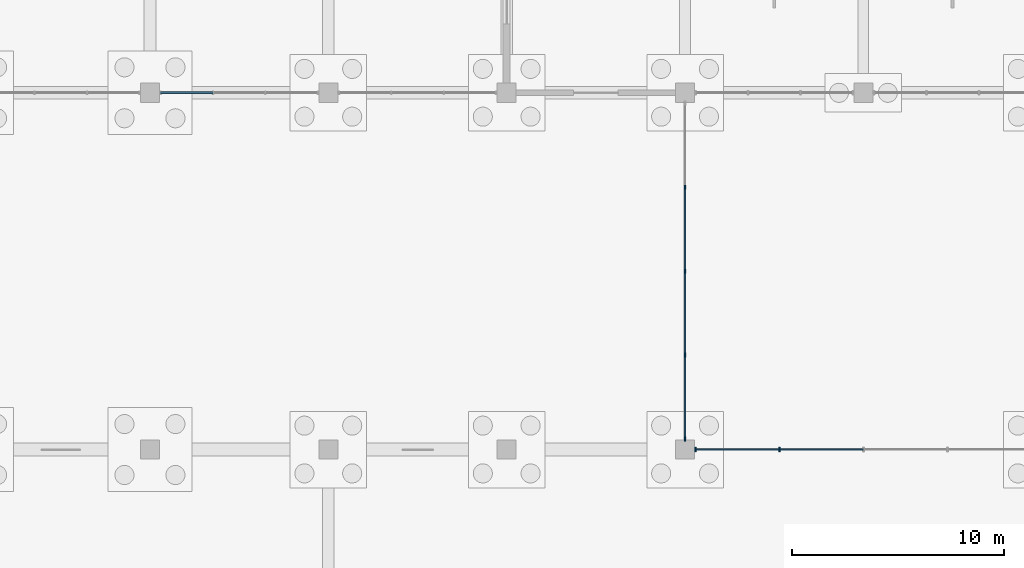
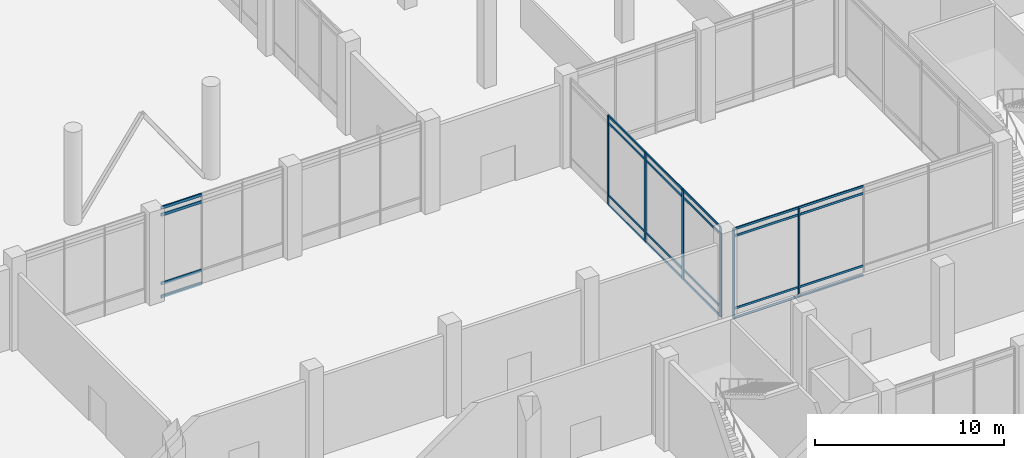
# One storey, part 30 of 72: 30 members, 3 elements without a shape of their own.
"""IFC4 building model written with IfcOpenShell, lengths in metres."""

import ifcopenshell
import ifcopenshell.guid

model = None  # the IFC model being written
_history = None  # IfcOwnerHistory: only IFC2X3 demands one
_inside = {}  # id of a spatial element -> (the spatial element, [elements in it])
_under = {}  # id of a project, library or spatial element -> (it, [spatial elements below it])
_declared = {}  # id of a project -> (the project, [libraries it declares])
_typed = {}  # id of a type object -> (the type object, [elements of that type])
_made_of = {}  # id of a material, layer set ... -> (it, [elements and type objects made of it])


def new_model(schema):
    """Start an empty IFC model of exactly this schema.

    Asked for "IFC4X3", IfcOpenShell would pick the latest addendum, in which some entities
    have other attributes; the version numbers below select the first issue.
    IFC2X3 requires an IfcOwnerHistory on every rooted entity: one is made here for all.
    """
    global model, _history
    if schema == "IFC4X3":
        model = ifcopenshell.file(schema_version=(4, 3, 0, 0))
    else:
        model = ifcopenshell.file(schema=schema)
    _inside.clear()
    _under.clear()
    _declared.clear()
    _typed.clear()
    _made_of.clear()
    _history = None
    if model.schema == "IFC2X3":
        org = make("IfcOrganization", Name="unknown")
        user = make(
            "IfcPersonAndOrganization",
            ThePerson=make("IfcPerson", FamilyName="unknown"),
            TheOrganization=org,
        )
        app = make(
            "IfcApplication",
            ApplicationDeveloper=org,
            Version="unknown",
            ApplicationFullName="unknown",
            ApplicationIdentifier="unknown",
        )
        _history = make(
            "IfcOwnerHistory",
            OwningUser=user,
            OwningApplication=app,
            ChangeAction="ADDED",
            CreationDate=0,
        )
    return model


def make(cls, **values):
    """One entity of the class cls with the attributes given. An attribute that is None is left unset."""
    return model.create_entity(
        cls, **{name: value for name, value in values.items() if value is not None}
    )


def rooted(cls, **values):
    """An entity with a GlobalId (a new one), such as an element, a storey or a relation."""
    return make(cls, GlobalId=ifcopenshell.guid.new(), OwnerHistory=_history, **values)


def si_unit(unit_type, name, prefix=None):
    """IfcSIUnit, for example si_unit("LENGTHUNIT", "METRE", prefix="MILLI")."""
    return make("IfcSIUnit", UnitType=unit_type, Prefix=prefix, Name=name)


def assignment(units):
    """IfcUnitAssignment: the units of a project."""
    return None if units is None else make("IfcUnitAssignment", Units=units)


def point(xyz):
    """IfcCartesianPoint."""
    return None if xyz is None else make("IfcCartesianPoint", Coordinates=xyz)


def direction(xyz):
    """IfcDirection."""
    return None if xyz is None else make("IfcDirection", DirectionRatios=xyz)


def frame(location, z_axis=None, x_axis=None):
    """IfcAxis2Placement3D, a coordinate frame: its origin and axes. An axis left out is left unset."""
    return make(
        "IfcAxis2Placement3D",
        Location=point(location),
        Axis=direction(z_axis),
        RefDirection=direction(x_axis),
    )


def frame_2d(location, x_axis=None):
    """IfcAxis2Placement2D, a coordinate frame in the plane: its origin and x axis."""
    return make(
        "IfcAxis2Placement2D", Location=point(location), RefDirection=direction(x_axis)
    )


def origin():
    """The frame at (0, 0, 0) with its axes left unset."""
    return frame((0.0, 0.0, 0.0))


def origin_2d():
    """The frame at (0, 0) in the plane with its x axis left unset."""
    return frame_2d((0.0, 0.0))


def place(relative_to, where):
    """IfcLocalPlacement: puts the frame where relative to a parent placement (None: the world)."""
    return make(
        "IfcLocalPlacement", PlacementRelTo=relative_to, RelativePlacement=where
    )


def context(
    kind, dimensions, precision=None, world=None, true_north=None, identifier=None
):
    """IfcGeometricRepresentationContext, for example the 3D "Model" context."""
    return make(
        "IfcGeometricRepresentationContext",
        ContextIdentifier=identifier,
        ContextType=kind,
        CoordinateSpaceDimension=dimensions,
        Precision=precision,
        WorldCoordinateSystem=world,
        TrueNorth=true_north,
    )


def subcontext(parent, identifier, kind, view, scale=None):
    """IfcGeometricRepresentationSubContext, for example "Body" below "Model"."""
    return make(
        "IfcGeometricRepresentationSubContext",
        ContextIdentifier=identifier,
        ContextType=kind,
        ParentContext=parent,
        TargetScale=scale,
        TargetView=view,
    )


def project(units=None, contexts=None):
    """IfcProject with its units and contexts."""
    return rooted(
        "IfcProject",
        Name="project",
        RepresentationContexts=contexts,
        UnitsInContext=assignment(units),
    )


def spatial(cls, under=None, at=None, **own):
    """A site, building, storey or space (cls), placed at a placement, below another one or the project."""
    s = rooted(cls, ObjectPlacement=at, **own)
    if under is not None:
        _under.setdefault(under.id(), (under, []))[1].append(s)
    return s


def profile(cls, at=None, kind="AREA", **sizes):
    """A parametric profile (cls). Its sizes go by their IFC names, for example OverallWidth=200.0."""
    return make(cls, ProfileType=kind, Position=at, **sizes)


def rectangle(**sizes):
    """IfcRectangleProfileDef."""
    return profile("IfcRectangleProfileDef", **sizes)


def extrude(swept, where, along, depth):
    """IfcExtrudedAreaSolid: the profile swept, set in the frame where, extruded along a direction by depth."""
    return make(
        "IfcExtrudedAreaSolid",
        SweptArea=swept,
        Position=where,
        ExtrudedDirection=direction(along),
        Depth=depth,
    )


def shape(context_of_items, identifier, shape_type, items):
    """IfcShapeRepresentation: the items that make up one representation, for example the "Body"."""
    return make(
        "IfcShapeRepresentation",
        ContextOfItems=context_of_items,
        RepresentationIdentifier=identifier,
        RepresentationType=shape_type,
        Items=items,
    )


def material(Name=None, Category=None):
    """IfcMaterial."""
    return make("IfcMaterial", Name=Name, Category=Category)


def layer(
    of_material, thickness, ventilated=None, Name=None, Category=None, Priority=None
):
    """IfcMaterialLayer: one layer of a wall or slab, of a material (None: an air gap)."""
    return make(
        "IfcMaterialLayer",
        Material=of_material,
        LayerThickness=thickness,
        IsVentilated=ventilated,
        Name=Name,
        Category=Category,
        Priority=Priority,
    )


def layer_set(layers, Name=None):
    """IfcMaterialLayerSet."""
    return make("IfcMaterialLayerSet", MaterialLayers=layers, LayerSetName=Name)


def material_profile(
    of_material, cross_section, Name=None, Category=None, Priority=None
):
    """IfcMaterialProfile: a cross section and its material."""
    return make(
        "IfcMaterialProfile",
        Name=Name,
        Material=of_material,
        Profile=cross_section,
        Priority=Priority,
        Category=Category,
    )


def profile_set(profiles, Name=None, composite=None):
    """IfcMaterialProfileSet."""
    return make(
        "IfcMaterialProfileSet",
        Name=Name,
        MaterialProfiles=profiles,
        CompositeProfile=composite,
    )


def made_of(thing, what):
    """Note that an element or type object is made of a material, layer set ...; save() writes the relation."""
    if what is not None:
        _made_of.setdefault(what.id(), (what, []))[1].append(thing)
    return thing


def type_object(cls, material=None, **own):
    """A type object (cls), such as IfcWallType, which elements share."""
    return made_of(rooted(cls, **own), material)


def element(
    cls,
    number,
    at=None,
    inside=None,
    cuts=None,
    type_object=None,
    material=None,
    context=None,
    identifier="Body",
    shape_type=None,
    held_by="IfcProductDefinitionShape",
    body=None,
    shapes=None,
    **own,
):
    """One element of the class cls, such as IfcWall. Its Tag is "e" and its number.

    at: its placement. inside: the storey or other place that contains it. cuts: it is an
    opening in that element (IfcRelVoidsElement). A single representation is given by context,
    identifier, shape_type and body (its items); several are given by shapes. held_by: the class
    of the entity that holds the representations. save() writes the other relations.
    """
    e = rooted(cls, Tag="e%d" % number, ObjectPlacement=at, **own)
    if body is not None:
        shapes = [shape(context, identifier, shape_type, body)]
    if shapes is not None:
        e.Representation = make(held_by, Representations=shapes)
    if inside is not None:
        _inside.setdefault(inside.id(), (inside, []))[1].append(e)
    if cuts is not None:
        rooted(
            "IfcRelVoidsElement", RelatingBuildingElement=cuts, RelatedOpeningElement=e
        )
    if type_object is not None:
        _typed.setdefault(type_object.id(), (type_object, []))[1].append(e)
    return made_of(e, material)


def aggregate(whole, parts):
    """IfcRelAggregates: a whole, such as a stair, and the parts it consists of."""
    return rooted("IfcRelAggregates", RelatingObject=whole, RelatedObjects=parts)


def save(model, path):
    """Write the relations noted so far, then the file.

    IfcRelAggregates (storeys below a building ...), IfcRelContainedInSpatialStructure (elements
    in a storey), IfcRelDefinesByType, IfcRelAssociatesMaterial and IfcRelDeclares: one each for
    every whole, place, type object, material and project.
    """
    for whole, parts in _under.values():
        aggregate(whole, parts)
    for where, things in _inside.values():
        rooted(
            "IfcRelContainedInSpatialStructure",
            RelatedElements=things,
            RelatingStructure=where,
        )
    for kind, things in _typed.values():
        rooted("IfcRelDefinesByType", RelatedObjects=things, RelatingType=kind)
    for what, things in _made_of.values():
        rooted("IfcRelAssociatesMaterial", RelatedObjects=things, RelatingMaterial=what)
    for by, libraries in _declared.values():
        rooted("IfcRelDeclares", RelatingContext=by, RelatedDefinitions=libraries)
    model.write(path)


model = new_model("IFC4")

# Units and contexts
model_context = context("Model", 3, precision=1e-05, world=origin(), true_north=direction((0.0, 1.0)))
body_context = subcontext(model_context, "Body", "Model", "MODEL_VIEW")
ifc_project = project(units=[si_unit("LENGTHUNIT", "METRE"), si_unit("AREAUNIT", "SQUARE_METRE"), si_unit("VOLUMEUNIT", "CUBIC_METRE"), si_unit("PLANEANGLEUNIT", "RADIAN"), si_unit("MASSUNIT", "GRAM", prefix="KILO")], contexts=[model_context])

# Site, building, storey
site_placement = place(None, origin())
site = spatial("IfcSite", under=ifc_project, at=site_placement, CompositionType="ELEMENT")
building_placement = place(site_placement, origin())
building = spatial("IfcBuilding", under=site, at=building_placement, Name="Qawsi Khor Wholesale Market", CompositionType="ELEMENT")
storey_placement = place(building_placement, origin())
storey = spatial("IfcBuildingStorey", under=building, at=storey_placement, Name="L00", CompositionType="ELEMENT", Elevation=0.0)

# Curtain wall, members
ifc_material = material(Name="Aluminium Anodised Bronze", Category="aluminium")
ifc_layer_1 = layer(ifc_material, 0.179931640625, Name="Aluminium Anodised Bronze")
ifc_layer_set_1 = layer_set([ifc_layer_1], Name="Aluminium Anodised Bronze")
curtain_wall_type_1 = type_object("IfcCurtainWallType", Name="Atrium Full-Height Curtain Wall CW-02", PredefinedType="NOTDEFINED", material=ifc_layer_set_1)
curtain_wall_1_placement = place(storey_placement, origin())
curtain_wall_1 = element("IfcCurtainWall", 1, at=curtain_wall_1_placement, inside=storey, type_object=curtain_wall_type_1, Name="Curtain wall CW-CW-02-L00-031", PredefinedType="NOTDEFINED")
ifc_material_profile_1 = material_profile(ifc_material, rectangle(XDim=0.070068359375, YDim=0.199951171875, at=origin_2d()), Name="ALU MULLION 70x200")
ifc_profile_set_1 = profile_set([ifc_material_profile_1], Name="Aluminium Anodised Bronze")
member_type_1 = type_object("IfcMemberType", Name="Curtain Wall Mullion CW-02 ALU MULLION 70x200", PredefinedType="MULLION", material=ifc_profile_set_1)
member_1_placement = place(storey_placement, frame((151.695068359375, 25.199951171875, -0.02001953125), z_axis=(0.0, 0.0, 1.0), x_axis=(1.0, 0.0, 0.0)))
member_1 = element("IfcMember", 2, at=member_1_placement, type_object=member_type_1, Name="Mullion CW-CW-02-L00-031-M00", PredefinedType="MULLION", context=body_context, shape_type="SweptSolid", body=[
    extrude(rectangle(XDim=0.070068359375, YDim=0.199951171875, at=origin_2d()), origin(), (0.0, 0.0, 1.0), 5.739990234375),
])
member_2_placement = place(storey_placement, frame((155.6474609375, 25.199951171875, -0.02001953125), z_axis=(0.0, 0.0, 1.0), x_axis=(1.0, 0.0, 0.0)))
member_2 = element("IfcMember", 3, at=member_2_placement, type_object=member_type_1, Name="Mullion CW-CW-02-L00-031-M01", PredefinedType="MULLION", context=body_context, shape_type="SweptSolid", body=[
    extrude(rectangle(XDim=0.070068359375, YDim=0.199951171875, at=origin_2d()), origin(), (0.0, 0.0, 1.0), 5.739990234375),
])

curtain_wall_2_placement = place(storey_placement, origin())
curtain_wall_2 = element("IfcCurtainWall", 4, at=curtain_wall_2_placement, inside=storey, type_object=curtain_wall_type_1, Name="Curtain wall CW-CW-02-L00-034", PredefinedType="NOTDEFINED")
member_3_placement = place(storey_placement, frame((151.199951171875, 25.695068359375, -0.02001953125), z_axis=(0.0, 0.0, 1.0), x_axis=(1.0, 0.0, 0.0)))
member_3 = element("IfcMember", 5, at=member_3_placement, type_object=member_type_1, Name="Mullion CW-CW-02-L00-034-M00", PredefinedType="MULLION", context=body_context, shape_type="SweptSolid", body=[
    extrude(rectangle(XDim=0.070068359375, YDim=0.199951171875, at=origin_2d()), origin(), (0.0, 0.0, 1.0), 5.739990234375),
])
member_4_placement = place(storey_placement, frame((151.199951171875, 29.6474609375, -0.02001953125), z_axis=(0.0, 0.0, 1.0), x_axis=(1.0, 0.0, 0.0)))
member_4 = element("IfcMember", 6, at=member_4_placement, type_object=member_type_1, Name="Mullion CW-CW-02-L00-034-M01", PredefinedType="MULLION", context=body_context, shape_type="SweptSolid", body=[
    extrude(rectangle(XDim=0.070068359375, YDim=0.199951171875, at=origin_2d()), origin(), (0.0, 0.0, 1.0), 5.739990234375),
])
member_5_placement = place(storey_placement, frame((151.199951171875, 33.60009765625, -0.02001953125), z_axis=(0.0, 0.0, 1.0), x_axis=(1.0, 0.0, 0.0)))
member_5 = element("IfcMember", 7, at=member_5_placement, type_object=member_type_1, Name="Mullion CW-CW-02-L00-034-M02", PredefinedType="MULLION", context=body_context, shape_type="SweptSolid", body=[
    extrude(rectangle(XDim=0.070068359375, YDim=0.199951171875, at=origin_2d()), origin(), (0.0, 0.0, 1.0), 5.739990234375),
])
member_6_placement = place(storey_placement, frame((151.199951171875, 37.552490234375, -0.02001953125), z_axis=(0.0, 0.0, 1.0), x_axis=(1.0, 0.0, 0.0)))
member_6 = element("IfcMember", 8, at=member_6_placement, type_object=member_type_1, Name="Mullion CW-CW-02-L00-034-M03", PredefinedType="MULLION", context=body_context, shape_type="SweptSolid", body=[
    extrude(rectangle(XDim=0.070068359375, YDim=0.199951171875, at=origin_2d()), origin(), (0.0, 0.0, 1.0), 5.739990234375),
])

# Member
ifc_material_profile_2 = material_profile(ifc_material, rectangle(XDim=0.06494140625, YDim=0.139892578125, at=origin_2d()), Name="ALU TRANSOM 65x140")
ifc_profile_set_2 = profile_set([ifc_material_profile_2], Name="Aluminium Anodised Bronze")
member_type_2 = type_object("IfcMemberType", Name="Curtain Wall Transom CW-02 ALU TRANSOM 65x140", PredefinedType="USERDEFINED", material=ifc_profile_set_2)
member_7_placement = place(storey_placement, frame((151.695068359375, 25.199951171875, 0.0), z_axis=(1.0, 0.0, 0.0), x_axis=(0.0, 1.0, 0.0)))
member_7 = element("IfcMember", 9, at=member_7_placement, type_object=member_type_2, Name="Transom CW-CW-02-L00-031-T0_00", ObjectType="TRANSOM", PredefinedType="USERDEFINED", context=body_context, shape_type="SweptSolid", body=[
    extrude(rectangle(XDim=0.06494140625, YDim=0.139892578125, at=origin_2d()), origin(), (0.0, 0.0, 1.0), 3.952392578125),
])

member_8_placement = place(storey_placement, frame((155.6474609375, 25.199951171875, 0.0), z_axis=(1.0, 0.0, 0.0), x_axis=(0.0, 1.0, 0.0)))
member_8 = element("IfcMember", 10, at=member_8_placement, type_object=member_type_2, Name="Transom CW-CW-02-L00-031-T0_01", ObjectType="TRANSOM", PredefinedType="USERDEFINED", context=body_context, shape_type="SweptSolid", body=[
    extrude(rectangle(XDim=0.06494140625, YDim=0.139892578125, at=origin_2d()), origin(), (0.0, 0.0, 1.0), 3.95263671875),
])

member_9_placement = place(storey_placement, frame((151.695068359375, 25.199951171875, 0.60009765625), z_axis=(1.0, 0.0, 0.0), x_axis=(0.0, 1.0, 0.0)))
member_9 = element("IfcMember", 11, at=member_9_placement, type_object=member_type_2, Name="Transom CW-CW-02-L00-031-T1_00", ObjectType="TRANSOM", PredefinedType="USERDEFINED", context=body_context, shape_type="SweptSolid", body=[
    extrude(rectangle(XDim=0.06494140625, YDim=0.139892578125, at=origin_2d()), origin(), (0.0, 0.0, 1.0), 3.952392578125),
])

member_10_placement = place(storey_placement, frame((155.6474609375, 25.199951171875, 0.60009765625), z_axis=(1.0, 0.0, 0.0), x_axis=(0.0, 1.0, 0.0)))
member_10 = element("IfcMember", 12, at=member_10_placement, type_object=member_type_2, Name="Transom CW-CW-02-L00-031-T1_01", ObjectType="TRANSOM", PredefinedType="USERDEFINED", context=body_context, shape_type="SweptSolid", body=[
    extrude(rectangle(XDim=0.06494140625, YDim=0.139892578125, at=origin_2d()), origin(), (0.0, 0.0, 1.0), 3.95263671875),
])

member_11_placement = place(storey_placement, frame((151.695068359375, 25.199951171875, 5.27001953125), z_axis=(1.0, 0.0, 0.0), x_axis=(0.0, 1.0, 0.0)))
member_11 = element("IfcMember", 13, at=member_11_placement, type_object=member_type_2, Name="Transom CW-CW-02-L00-031-T2_00", ObjectType="TRANSOM", PredefinedType="USERDEFINED", context=body_context, shape_type="SweptSolid", body=[
    extrude(rectangle(XDim=0.06494140625, YDim=0.139892578125, at=origin_2d()), origin(), (0.0, 0.0, 1.0), 3.952392578125),
])

member_12_placement = place(storey_placement, frame((155.6474609375, 25.199951171875, 5.27001953125), z_axis=(1.0, 0.0, 0.0), x_axis=(0.0, 1.0, 0.0)))
member_12 = element("IfcMember", 14, at=member_12_placement, type_object=member_type_2, Name="Transom CW-CW-02-L00-031-T2_01", ObjectType="TRANSOM", PredefinedType="USERDEFINED", context=body_context, shape_type="SweptSolid", body=[
    extrude(rectangle(XDim=0.06494140625, YDim=0.139892578125, at=origin_2d()), origin(), (0.0, 0.0, 1.0), 3.95263671875),
])

member_13_placement = place(storey_placement, frame((151.695068359375, 25.199951171875, 5.719970703125), z_axis=(1.0, 0.0, 0.0), x_axis=(0.0, 1.0, 0.0)))
member_13 = element("IfcMember", 15, at=member_13_placement, type_object=member_type_2, Name="Transom CW-CW-02-L00-031-T3_00", ObjectType="TRANSOM", PredefinedType="USERDEFINED", context=body_context, shape_type="SweptSolid", body=[
    extrude(rectangle(XDim=0.06494140625, YDim=0.139892578125, at=origin_2d()), origin(), (0.0, 0.0, 1.0), 3.952392578125),
])

member_14_placement = place(storey_placement, frame((155.6474609375, 25.199951171875, 5.719970703125), z_axis=(1.0, 0.0, 0.0), x_axis=(0.0, 1.0, 0.0)))
member_14 = element("IfcMember", 16, at=member_14_placement, type_object=member_type_2, Name="Transom CW-CW-02-L00-031-T3_01", ObjectType="TRANSOM", PredefinedType="USERDEFINED", context=body_context, shape_type="SweptSolid", body=[
    extrude(rectangle(XDim=0.06494140625, YDim=0.139892578125, at=origin_2d()), origin(), (0.0, 0.0, 1.0), 3.95263671875),
])

aggregate(curtain_wall_1, [member_1, member_2, member_7, member_8, member_9, member_10, member_11, member_12, member_13, member_14])

member_15_placement = place(storey_placement, frame((151.199951171875, 25.695068359375, 0.0), z_axis=(0.0, 1.0, 0.0), x_axis=(-1.0, 0.0, 0.0)))
member_15 = element("IfcMember", 17, at=member_15_placement, type_object=member_type_2, Name="Transom CW-CW-02-L00-034-T0_00", ObjectType="TRANSOM", PredefinedType="USERDEFINED", context=body_context, shape_type="SweptSolid", body=[
    extrude(rectangle(XDim=0.06494140625, YDim=0.139892578125, at=origin_2d()), origin(), (0.0, 0.0, 1.0), 3.952392578125),
])

member_16_placement = place(storey_placement, frame((151.199951171875, 29.6474609375, 0.0), z_axis=(0.0, 1.0, 0.0), x_axis=(-1.0, 0.0, 0.0)))
member_16 = element("IfcMember", 18, at=member_16_placement, type_object=member_type_2, Name="Transom CW-CW-02-L00-034-T0_01", ObjectType="TRANSOM", PredefinedType="USERDEFINED", context=body_context, shape_type="SweptSolid", body=[
    extrude(rectangle(XDim=0.06494140625, YDim=0.139892578125, at=origin_2d()), origin(), (0.0, 0.0, 1.0), 3.95263671875),
])

member_17_placement = place(storey_placement, frame((151.199951171875, 33.60009765625, 0.0), z_axis=(0.0, 1.0, 0.0), x_axis=(-1.0, 0.0, 0.0)))
member_17 = element("IfcMember", 19, at=member_17_placement, type_object=member_type_2, Name="Transom CW-CW-02-L00-034-T0_02", ObjectType="TRANSOM", PredefinedType="USERDEFINED", context=body_context, shape_type="SweptSolid", body=[
    extrude(rectangle(XDim=0.06494140625, YDim=0.139892578125, at=origin_2d()), origin(), (0.0, 0.0, 1.0), 3.952392578125),
])

member_18_placement = place(storey_placement, frame((151.199951171875, 25.695068359375, 0.60009765625), z_axis=(0.0, 1.0, 0.0), x_axis=(-1.0, 0.0, 0.0)))
member_18 = element("IfcMember", 20, at=member_18_placement, type_object=member_type_2, Name="Transom CW-CW-02-L00-034-T1_00", ObjectType="TRANSOM", PredefinedType="USERDEFINED", context=body_context, shape_type="SweptSolid", body=[
    extrude(rectangle(XDim=0.06494140625, YDim=0.139892578125, at=origin_2d()), origin(), (0.0, 0.0, 1.0), 3.952392578125),
])

member_19_placement = place(storey_placement, frame((151.199951171875, 29.6474609375, 0.60009765625), z_axis=(0.0, 1.0, 0.0), x_axis=(-1.0, 0.0, 0.0)))
member_19 = element("IfcMember", 21, at=member_19_placement, type_object=member_type_2, Name="Transom CW-CW-02-L00-034-T1_01", ObjectType="TRANSOM", PredefinedType="USERDEFINED", context=body_context, shape_type="SweptSolid", body=[
    extrude(rectangle(XDim=0.06494140625, YDim=0.139892578125, at=origin_2d()), origin(), (0.0, 0.0, 1.0), 3.95263671875),
])

member_20_placement = place(storey_placement, frame((151.199951171875, 33.60009765625, 0.60009765625), z_axis=(0.0, 1.0, 0.0), x_axis=(-1.0, 0.0, 0.0)))
member_20 = element("IfcMember", 22, at=member_20_placement, type_object=member_type_2, Name="Transom CW-CW-02-L00-034-T1_02", ObjectType="TRANSOM", PredefinedType="USERDEFINED", context=body_context, shape_type="SweptSolid", body=[
    extrude(rectangle(XDim=0.06494140625, YDim=0.139892578125, at=origin_2d()), origin(), (0.0, 0.0, 1.0), 3.952392578125),
])

member_21_placement = place(storey_placement, frame((151.199951171875, 25.695068359375, 5.27001953125), z_axis=(0.0, 1.0, 0.0), x_axis=(-1.0, 0.0, 0.0)))
member_21 = element("IfcMember", 23, at=member_21_placement, type_object=member_type_2, Name="Transom CW-CW-02-L00-034-T2_00", ObjectType="TRANSOM", PredefinedType="USERDEFINED", context=body_context, shape_type="SweptSolid", body=[
    extrude(rectangle(XDim=0.06494140625, YDim=0.139892578125, at=origin_2d()), origin(), (0.0, 0.0, 1.0), 3.952392578125),
])

member_22_placement = place(storey_placement, frame((151.199951171875, 29.6474609375, 5.27001953125), z_axis=(0.0, 1.0, 0.0), x_axis=(-1.0, 0.0, 0.0)))
member_22 = element("IfcMember", 24, at=member_22_placement, type_object=member_type_2, Name="Transom CW-CW-02-L00-034-T2_01", ObjectType="TRANSOM", PredefinedType="USERDEFINED", context=body_context, shape_type="SweptSolid", body=[
    extrude(rectangle(XDim=0.06494140625, YDim=0.139892578125, at=origin_2d()), origin(), (0.0, 0.0, 1.0), 3.95263671875),
])

member_23_placement = place(storey_placement, frame((151.199951171875, 33.60009765625, 5.27001953125), z_axis=(0.0, 1.0, 0.0), x_axis=(-1.0, 0.0, 0.0)))
member_23 = element("IfcMember", 25, at=member_23_placement, type_object=member_type_2, Name="Transom CW-CW-02-L00-034-T2_02", ObjectType="TRANSOM", PredefinedType="USERDEFINED", context=body_context, shape_type="SweptSolid", body=[
    extrude(rectangle(XDim=0.06494140625, YDim=0.139892578125, at=origin_2d()), origin(), (0.0, 0.0, 1.0), 3.952392578125),
])

member_24_placement = place(storey_placement, frame((151.199951171875, 25.695068359375, 5.719970703125), z_axis=(0.0, 1.0, 0.0), x_axis=(-1.0, 0.0, 0.0)))
member_24 = element("IfcMember", 26, at=member_24_placement, type_object=member_type_2, Name="Transom CW-CW-02-L00-034-T3_00", ObjectType="TRANSOM", PredefinedType="USERDEFINED", context=body_context, shape_type="SweptSolid", body=[
    extrude(rectangle(XDim=0.06494140625, YDim=0.139892578125, at=origin_2d()), origin(), (0.0, 0.0, 1.0), 3.952392578125),
])

member_25_placement = place(storey_placement, frame((151.199951171875, 29.6474609375, 5.719970703125), z_axis=(0.0, 1.0, 0.0), x_axis=(-1.0, 0.0, 0.0)))
member_25 = element("IfcMember", 27, at=member_25_placement, type_object=member_type_2, Name="Transom CW-CW-02-L00-034-T3_01", ObjectType="TRANSOM", PredefinedType="USERDEFINED", context=body_context, shape_type="SweptSolid", body=[
    extrude(rectangle(XDim=0.06494140625, YDim=0.139892578125, at=origin_2d()), origin(), (0.0, 0.0, 1.0), 3.95263671875),
])

member_26_placement = place(storey_placement, frame((151.199951171875, 33.60009765625, 5.719970703125), z_axis=(0.0, 1.0, 0.0), x_axis=(-1.0, 0.0, 0.0)))
member_26 = element("IfcMember", 28, at=member_26_placement, type_object=member_type_2, Name="Transom CW-CW-02-L00-034-T3_02", ObjectType="TRANSOM", PredefinedType="USERDEFINED", context=body_context, shape_type="SweptSolid", body=[
    extrude(rectangle(XDim=0.06494140625, YDim=0.139892578125, at=origin_2d()), origin(), (0.0, 0.0, 1.0), 3.952392578125),
])

aggregate(curtain_wall_2, [member_3, member_4, member_5, member_6, member_15, member_16, member_17, member_18, member_19, member_20, member_21, member_22, member_23, member_24, member_25, member_26])

# Curtain wall, members
ifc_layer_2 = layer(ifc_material, 0.169921875, Name="Aluminium Anodised Bronze")
ifc_layer_set_2 = layer_set([ifc_layer_2], Name="Aluminium Anodised Bronze")
curtain_wall_type_2 = type_object("IfcCurtainWallType", Name="Central Court Gallery Curtain Wall CW-05", PredefinedType="NOTDEFINED", material=ifc_layer_set_2)
curtain_wall_3_placement = place(storey_placement, origin())
curtain_wall_3 = element("IfcCurtainWall", 29, at=curtain_wall_3_placement, inside=storey, type_object=curtain_wall_type_2, Name="Curtain wall CW-CW-05-L00-058", PredefinedType="NOTDEFINED")
ifc_material_profile_3 = material_profile(ifc_material, rectangle(XDim=0.080078125, YDim=0.179931640625, at=origin_2d()), Name="ALU TRANSOM 80x180")
ifc_profile_set_3 = profile_set([ifc_material_profile_3], Name="Aluminium Anodised Bronze")
member_type_3 = type_object("IfcMemberType", Name="Curtain Wall Transom CW-05 ALU TRANSOM 80x180", PredefinedType="USERDEFINED", material=ifc_profile_set_3)
member_27_placement = place(storey_placement, frame((126.5, 42.0, 0.0), z_axis=(1.0, 0.0, 0.0), x_axis=(0.0, 1.0, 0.0)))
member_27 = element("IfcMember", 30, at=member_27_placement, type_object=member_type_3, Name="Transom CW-CW-05-L00-058-T0_00", ObjectType="TRANSOM", PredefinedType="USERDEFINED", context=body_context, shape_type="SweptSolid", body=[
    extrude(rectangle(XDim=0.080078125, YDim=0.179931640625, at=origin_2d()), origin(), (0.0, 0.0, 1.0), 2.466796875),
])
member_28_placement = place(storey_placement, frame((126.5, 42.0, 0.85009765625), z_axis=(1.0, 0.0, 0.0), x_axis=(0.0, 1.0, 0.0)))
member_28 = element("IfcMember", 31, at=member_28_placement, type_object=member_type_3, Name="Transom CW-CW-05-L00-058-T1_00", ObjectType="TRANSOM", PredefinedType="USERDEFINED", context=body_context, shape_type="SweptSolid", body=[
    extrude(rectangle(XDim=0.080078125, YDim=0.179931640625, at=origin_2d()), origin(), (0.0, 0.0, 1.0), 2.466796875),
])
member_29_placement = place(storey_placement, frame((126.5, 42.0, 5.27001953125), z_axis=(1.0, 0.0, 0.0), x_axis=(0.0, 1.0, 0.0)))
member_29 = element("IfcMember", 32, at=member_29_placement, type_object=member_type_3, Name="Transom CW-CW-05-L00-058-T2_00", ObjectType="TRANSOM", PredefinedType="USERDEFINED", context=body_context, shape_type="SweptSolid", body=[
    extrude(rectangle(XDim=0.080078125, YDim=0.179931640625, at=origin_2d()), origin(), (0.0, 0.0, 1.0), 2.466796875),
])
member_30_placement = place(storey_placement, frame((126.5, 42.0, 5.719970703125), z_axis=(1.0, 0.0, 0.0), x_axis=(0.0, 1.0, 0.0)))
member_30 = element("IfcMember", 33, at=member_30_placement, type_object=member_type_3, Name="Transom CW-CW-05-L00-058-T3_00", ObjectType="TRANSOM", PredefinedType="USERDEFINED", context=body_context, shape_type="SweptSolid", body=[
    extrude(rectangle(XDim=0.080078125, YDim=0.179931640625, at=origin_2d()), origin(), (0.0, 0.0, 1.0), 2.466796875),
])
aggregate(curtain_wall_3, [member_27, member_28, member_29, member_30])

save(model, "model.ifc")
